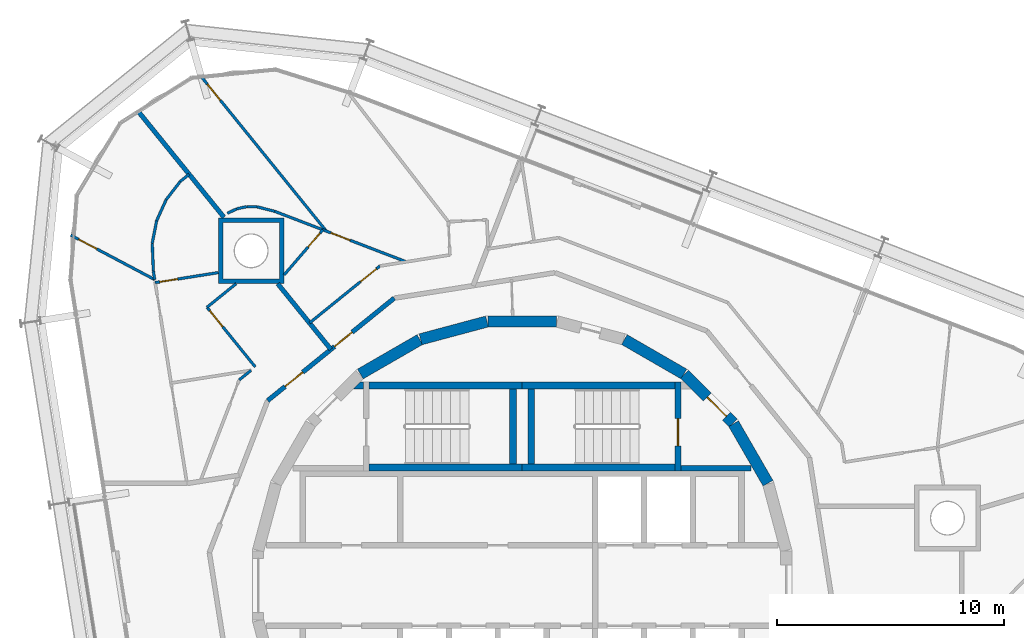
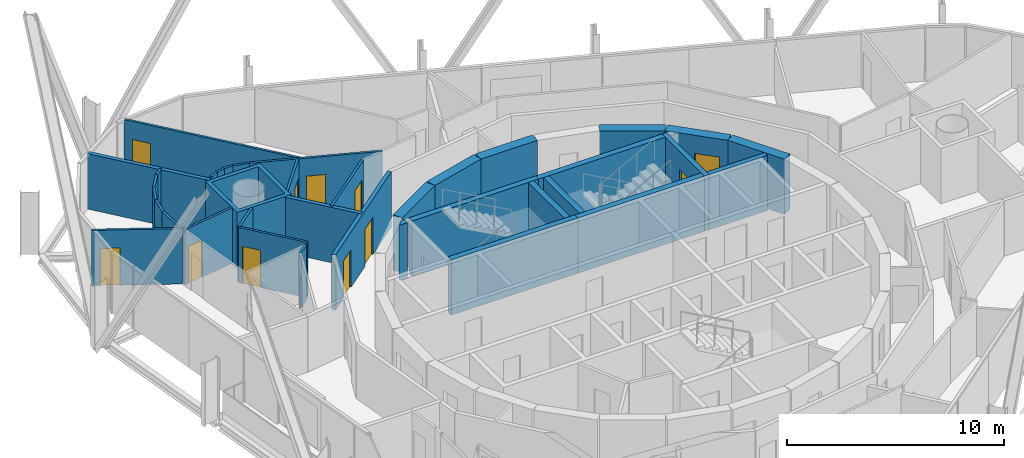
# One storey, part 15 of 18: 38 walls, 11 doors, 11 openings.
"""IFC4 building model written with IfcOpenShell, lengths in metres."""

from ifc_helpers import new_model, si_unit, direction, frame, frame_2d, origin, place, context, subcontext, project, spatial, polyline, rectangle, outline, extrude, material, layer, layer_set, type_object, element, fill, save


model = new_model("IFC4")

# Units and contexts
model_context = context("Model", 3, precision=1e-05, world=origin(), true_north=direction((0.0, 1.0)))
body_context = subcontext(model_context, "Body", "Model", "MODEL_VIEW")
ifc_project = project(units=[si_unit("LENGTHUNIT", "METRE"), si_unit("AREAUNIT", "SQUARE_METRE"), si_unit("VOLUMEUNIT", "CUBIC_METRE"), si_unit("PLANEANGLEUNIT", "RADIAN"), si_unit("MASSUNIT", "GRAM", prefix="KILO")], contexts=[model_context])

# Site, building, storey
site_placement = place(None, origin())
site = spatial("IfcSite", under=ifc_project, at=site_placement, CompositionType="ELEMENT")
building_placement = place(site_placement, origin())
building = spatial("IfcBuilding", under=site, at=building_placement, Name="Spindle Arch Residences", CompositionType="ELEMENT")
storey_placement = place(building_placement, frame((0.0, 0.0, 277.39990234375)))
storey = spatial("IfcBuildingStorey", under=building, at=storey_placement, Name="L71", CompositionType="ELEMENT", Elevation=277.39990234375)

# Wall
ifc_material_1 = material(Name="Concrete C50/60", Category="concrete")
ifc_layer_1 = layer(ifc_material_1, 0.5)
ifc_layer_set_1 = layer_set([ifc_layer_1], Name="Core outline wall 500")
wall_type_1 = type_object("IfcWallType", Name="Core outline wall 500", PredefinedType="SHEAR", material=ifc_layer_set_1)
wall_1_placement = place(storey_placement, frame((10.84521484375, 4.510498046875, 0.0), z_axis=(0.0, 0.0, 1.0), x_axis=(-0.500087131594, 0.865975092491, 0.0)))
element("IfcWall", 1, at=wall_1_placement, inside=storey, type_object=wall_type_1, Name="Core outline wall 8", PredefinedType="SHEAR", context=body_context, shape_type="SweptSolid", body=[
    extrude(rectangle(XDim=3.03271484375, YDim=0.5, at=frame_2d((1.516357421875, 0.0))), origin(), (0.0, 0.0, 1.0), 3.1201171875),
])

# Wall, opening, door
wall_2_placement = place(storey_placement, frame((9.30810546875, 7.163818359375, 0.0), z_axis=(0.0, 0.0, 1.0), x_axis=(-0.707106781187, 0.707106781187, 0.0)))
wall_2 = element("IfcWall", 2, at=wall_2_placement, inside=storey, type_object=wall_type_1, Name="Core outline wall 9", PredefinedType="SHEAR", context=body_context, shape_type="SweptSolid", body=[
    extrude(rectangle(XDim=3.032470703125, YDim=0.5, at=frame_2d((1.51611328125, 0.0))), origin(), (0.0, 0.0, 1.0), 3.1201171875),
])
opening_1_placement = place(wall_2_placement, frame((0.416259765625, 0.0, 0.0)))
opening_1 = element("IfcOpeningElement", 3, at=opening_1_placement, cuts=wall_2, Name="Opening R7B0-AD01", PredefinedType="OPENING", context=body_context, shape_type="SweptSolid", body=[
    extrude(rectangle(XDim=1.199951171875, YDim=2.10009765625, at=frame_2d((0.60009765625, 1.050048828125))), frame((0.0, 0.260009765625, 0.0), z_axis=(0.0, -1.0, 0.0), x_axis=(1.0, 0.0, 0.0)), (0.0, 0.0, 1.0), 0.52001953125),
])
ifc_material_2 = material(Name="Steel, fire-resisting door", Category="steel")
door_type_1 = type_object("IfcDoorType", Name="Stair airlock door 1200x2100", OperationType="SINGLE_SWING_LEFT", PredefinedType="DOOR", material=ifc_material_2)
door_1_placement = place(opening_1_placement, origin())
door_1 = element("IfcDoor", 4, at=door_1_placement, inside=storey, type_object=door_type_1, Name="Stair airlock door R7B0-AD01", OperationType="SINGLE_SWING_RIGHT", OverallHeight=2.10009765625, OverallWidth=1.199951171875, PredefinedType="DOOR", context=body_context, shape_type="SweptSolid", body=[
    extrude(rectangle(XDim=1.199951171875, YDim=2.10009765625, at=frame_2d((0.60009765625, 1.050048828125))), frame((0.0, 0.02490234375, 0.0), z_axis=(0.0, -1.0, 0.0), x_axis=(1.0, 0.0, 0.0)), (0.0, 0.0, 1.0), 0.050048828125),
])
fill(opening_1, door_1)

# Walls
for number, where, z_axis, x_axis, name in (
    (5, (7.13671875, 9.32861328125, 0.0), (0.0, 0.0, 1.0), (-0.865975092491, 0.500087131594, 0.0), "Core outline wall 10"),
    (6, (1.516357421875, 11.647216796875, 0.0), (0.0, 0.0, 1.0), (-1.0, 0.0, 0.0), "Core outline wall 12"),
    (7, (-1.5498046875, 11.642822265625, 0.0), (0.0, 0.0, 1.0), (-0.965948410781, -0.258734743916, 0.0), "Core outline wall 13"),
    (8, (-4.510498046875, 10.84521484375, 0.0), (0.0, 0.0, 1.0), (-0.865975092491, -0.500087131594, 0.0), "Core outline wall 14"),
):
    element("IfcWall", number, at=place(storey_placement, frame(where, z_axis=z_axis, x_axis=x_axis)), inside=storey, type_object=wall_type_1, Name=name, PredefinedType="SHEAR", context=body_context, shape_type="SweptSolid", body=[
        extrude(rectangle(XDim=3.03271484375, YDim=0.5, at=frame_2d((1.516357421875, 0.0))), origin(), (0.0, 0.0, 1.0), 3.1201171875),
    ])

# Wall, openings, doors
ifc_material_3 = material(Name="Calcium silicate block, plastered")
ifc_layer_2 = layer(ifc_material_3, 0.199951171875)
ifc_layer_set_2 = layer_set([ifc_layer_2], Name="Corridor wall 200")
wall_type_2 = type_object("IfcWallType", Name="Corridor wall 200", PredefinedType="STANDARD", material=ifc_layer_set_2)
wall_3_placement = place(storey_placement, frame((-5.642578125, 12.67333984375, 0.0), z_axis=(0.0, 0.0, 1.0), x_axis=(-0.777160148113, -0.629302871585, 0.0)))
wall_3 = element("IfcWall", 9, at=wall_3_placement, inside=storey, type_object=wall_type_2, Name="Corridor wall R7B0-W011", PredefinedType="STANDARD", context=body_context, shape_type="SweptSolid", body=[
    extrude(rectangle(XDim=7.180908203125, YDim=0.199951171875, at=frame_2d((3.59033203125, 0.0))), origin(), (0.0, 0.0, 1.0), 3.1201171875),
])
opening_2_placement = place(wall_3_placement, frame((2.390380859375, 0.0, 0.0)))
opening_2 = element("IfcOpeningElement", 10, at=opening_2_placement, cuts=wall_3, Name="Opening R7B0-FD02", PredefinedType="OPENING", context=body_context, shape_type="SweptSolid", body=[
    extrude(rectangle(XDim=1.0, YDim=2.10009765625, at=frame_2d((0.5, 1.050048828125))), frame((0.0, 0.10986328125, 0.0), z_axis=(0.0, -1.0, 0.0), x_axis=(1.0, 0.0, 0.0)), (0.0, 0.0, 1.0), 0.219970703125),
])
opening_3_placement = place(wall_3_placement, frame((5.191650390625, 0.0, 0.0)))
opening_3 = element("IfcOpeningElement", 11, at=opening_3_placement, cuts=wall_3, Name="Opening R7B0-FD03", PredefinedType="OPENING", context=body_context, shape_type="SweptSolid", body=[
    extrude(rectangle(XDim=1.0, YDim=2.10009765625, at=frame_2d((0.5, 1.050048828125))), frame((0.0, 0.10986328125, 0.0), z_axis=(0.0, -1.0, 0.0), x_axis=(1.0, 0.0, 0.0)), (0.0, 0.0, 1.0), 0.219970703125),
])
ifc_material_4 = material(Name="Timber, fire-resisting door set", Category="wood")
door_type_2 = type_object("IfcDoorType", Name="Flat entrance door 1000x2100", OperationType="NOTDEFINED", PredefinedType="DOOR", material=ifc_material_4)
door_2_placement = place(opening_2_placement, origin())
door_2 = element("IfcDoor", 12, at=door_2_placement, inside=storey, type_object=door_type_2, Name="Flat entrance door R7B0-FD02", OperationType="SINGLE_SWING_RIGHT", OverallHeight=2.10009765625, OverallWidth=1.0, PredefinedType="DOOR", context=body_context, shape_type="SweptSolid", body=[
    extrude(rectangle(XDim=1.0, YDim=2.10009765625, at=frame_2d((0.5, 1.050048828125))), frame((0.0, 0.02490234375, 0.0), z_axis=(0.0, -1.0, 0.0), x_axis=(1.0, 0.0, 0.0)), (0.0, 0.0, 1.0), 0.050048828125),
])
fill(opening_2, door_2)
door_3_placement = place(opening_3_placement, origin())
door_3 = element("IfcDoor", 13, at=door_3_placement, inside=storey, type_object=door_type_2, Name="Flat entrance door R7B0-FD03", OperationType="SINGLE_SWING_LEFT", OverallHeight=2.10009765625, OverallWidth=1.0, PredefinedType="DOOR", context=body_context, shape_type="SweptSolid", body=[
    extrude(rectangle(XDim=1.0, YDim=2.10009765625, at=frame_2d((0.5, 1.050048828125))), frame((0.0, 0.02490234375, 0.0), z_axis=(0.0, -1.0, 0.0), x_axis=(1.0, 0.0, 0.0)), (0.0, 0.0, 1.0), 0.050048828125),
])
fill(opening_3, door_3)

# Wall, opening, door
ifc_material_5 = material(Name="Plasterboard on steel studs", Category="steel")
ifc_layer_3 = layer(ifc_material_5, 0.1201171875)
ifc_layer_set_3 = layer_set([ifc_layer_3], Name="Flat partition 120")
wall_type_3 = type_object("IfcWallType", Name="Flat partition 120", PredefinedType="PARTITIONING", material=ifc_layer_set_3)
wall_4_placement = place(storey_placement, frame((-6.274169921875, 14.092041015625, 0.0), z_axis=(0.0, 0.0, 1.0), x_axis=(-0.777162268892, -0.629300252511, 0.0)))
wall_4 = element("IfcWall", 14, at=wall_4_placement, inside=storey, type_object=wall_type_3, Name="Flat partition R7B0-W045", PredefinedType="PARTITIONING", context=body_context, shape_type="SweptSolid", body=[
    extrude(rectangle(XDim=3.992431640625, YDim=0.1201171875, at=frame_2d((1.99609375, 0.0))), origin(), (0.0, 0.0, 1.0), 3.1201171875),
])
opening_4_placement = place(wall_4_placement, frame((0.199951171875, 0.0, 0.0)))
opening_4 = element("IfcOpeningElement", 15, at=opening_4_placement, cuts=wall_4, Name="Opening R7B0-ID07", PredefinedType="OPENING", context=body_context, shape_type="SweptSolid", body=[
    extrude(rectangle(XDim=0.89990234375, YDim=2.10009765625, at=frame_2d((0.449951171875, 1.050048828125))), frame((0.0, 0.070068359375, 0.0), z_axis=(0.0, -1.0, 0.0), x_axis=(1.0, 0.0, 0.0)), (0.0, 0.0, 1.0), 0.14013671875),
])
ifc_material_6 = material(Name="Timber door set", Category="wood")
door_type_3 = type_object("IfcDoorType", Name="Room door 900x2100", OperationType="NOTDEFINED", PredefinedType="DOOR", material=ifc_material_6)
door_4_placement = place(opening_4_placement, origin())
door_4 = element("IfcDoor", 16, at=door_4_placement, inside=storey, type_object=door_type_3, Name="Room door R7B0-ID07", OperationType="SINGLE_SWING_RIGHT", OverallHeight=2.10009765625, OverallWidth=0.89990234375, PredefinedType="DOOR", context=body_context, shape_type="SweptSolid", body=[
    extrude(rectangle(XDim=0.89990234375, YDim=2.10009765625, at=frame_2d((0.449951171875, 1.050048828125))), frame((0.0, 0.02490234375, 0.0), z_axis=(0.0, -1.0, 0.0), x_axis=(1.0, 0.0, 0.0)), (0.0, 0.0, 1.0), 0.050048828125),
])
fill(opening_4, door_4)

wall_5_placement = place(storey_placement, frame((-10.909912109375, 16.50244140625, 0.0), z_axis=(0.0, 0.0, 1.0), x_axis=(0.933584453869, -0.358357457707, 0.0)))
wall_5 = element("IfcWall", 17, at=wall_5_placement, inside=storey, type_object=wall_type_3, Name="Flat partition R7B0-W047", PredefinedType="PARTITIONING", context=body_context, shape_type="SweptSolid", body=[
    extrude(rectangle(XDim=6.2119140625, YDim=0.1201171875, at=frame_2d((3.10595703125, 0.0))), origin(), (0.0, 0.0, 1.0), 3.1201171875),
])
opening_5_placement = place(wall_5_placement, frame((2.657470703125, 0.0, 0.0)))
opening_5 = element("IfcOpeningElement", 18, at=opening_5_placement, cuts=wall_5, Name="Opening R7B0-ID09", PredefinedType="OPENING", context=body_context, shape_type="SweptSolid", body=[
    extrude(rectangle(XDim=0.89990234375, YDim=2.10009765625, at=frame_2d((0.449951171875, 1.050048828125))), frame((0.0, 0.070068359375, 0.0), z_axis=(0.0, -1.0, 0.0), x_axis=(1.0, 0.0, 0.0)), (0.0, 0.0, 1.0), 0.14013671875),
])
door_5_placement = place(opening_5_placement, origin())
door_5 = element("IfcDoor", 19, at=door_5_placement, inside=storey, type_object=door_type_3, Name="Room door R7B0-ID09", OperationType="SINGLE_SWING_LEFT", OverallHeight=2.10009765625, OverallWidth=0.89990234375, PredefinedType="DOOR", context=body_context, shape_type="SweptSolid", body=[
    extrude(rectangle(XDim=0.89990234375, YDim=2.10009765625, at=frame_2d((0.449951171875, 1.050048828125))), frame((0.0, 0.02490234375, 0.0), z_axis=(0.0, -1.0, 0.0), x_axis=(1.0, 0.0, 0.0)), (0.0, 0.0, 1.0), 0.050048828125),
])
fill(opening_5, door_5)

wall_6_placement = place(storey_placement, frame((-14.1318359375, 22.417724609375, 0.0), z_axis=(0.0, 0.0, 1.0), x_axis=(0.629309172704, -0.77715504576, 0.0)))
wall_6 = element("IfcWall", 20, at=wall_6_placement, inside=storey, type_object=wall_type_3, Name="Flat partition R7B0-W048", PredefinedType="PARTITIONING", context=body_context, shape_type="SweptSolid", body=[
    extrude(rectangle(XDim=8.735595703125, YDim=0.1201171875, at=frame_2d((4.36767578125, 0.0))), origin(), (0.0, 0.0, 1.0), 3.1201171875),
])
opening_6_placement = place(wall_6_placement, frame((0.39990234375, 0.0, 0.0)))
opening_6 = element("IfcOpeningElement", 21, at=opening_6_placement, cuts=wall_6, Name="Opening R7B0-ID08", PredefinedType="OPENING", context=body_context, shape_type="SweptSolid", body=[
    extrude(rectangle(XDim=0.89990234375, YDim=2.10009765625, at=frame_2d((0.449951171875, 1.050048828125))), frame((0.0, 0.070068359375, 0.0), z_axis=(0.0, -1.0, 0.0), x_axis=(1.0, 0.0, 0.0)), (0.0, 0.0, 1.0), 0.14013671875),
])
door_6_placement = place(opening_6_placement, origin())
door_6 = element("IfcDoor", 22, at=door_6_placement, inside=storey, type_object=door_type_3, Name="Room door R7B0-ID08", OperationType="SINGLE_SWING_RIGHT", OverallHeight=2.10009765625, OverallWidth=0.89990234375, PredefinedType="DOOR", context=body_context, shape_type="SweptSolid", body=[
    extrude(rectangle(XDim=0.89990234375, YDim=2.10009765625, at=frame_2d((0.449951171875, 1.050048828125))), frame((0.0, 0.02490234375, 0.0), z_axis=(0.0, -1.0, 0.0), x_axis=(1.0, 0.0, 0.0)), (0.0, 0.0, 1.0), 0.050048828125),
])
fill(opening_6, door_6)

wall_7_placement = place(storey_placement, frame((-8.788330078125, 15.68798828125, 0.0), z_axis=(0.0, 0.0, 1.0), x_axis=(-0.652090514391, -0.758141122115, 0.0)))
wall_7 = element("IfcWall", 23, at=wall_7_placement, inside=storey, type_object=wall_type_3, Name="Flat partition R7B0-W049", PredefinedType="PARTITIONING", context=body_context, shape_type="SweptSolid", body=[
    extrude(rectangle(XDim=2.62890625, YDim=0.1201171875, at=frame_2d((1.314453125, 0.0))), origin(), (0.0, 0.0, 1.0), 3.1201171875),
])
opening_7_placement = place(wall_7_placement, frame((0.199951171875, 0.0, 0.0)))
opening_7 = element("IfcOpeningElement", 24, at=opening_7_placement, cuts=wall_7, Name="Opening R7B0-BD02", PredefinedType="OPENING", context=body_context, shape_type="SweptSolid", body=[
    extrude(rectangle(XDim=0.800048828125, YDim=2.10009765625, at=frame_2d((0.39990234375, 1.050048828125))), frame((0.0, 0.070068359375, 0.0), z_axis=(0.0, -1.0, 0.0), x_axis=(1.0, 0.0, 0.0)), (0.0, 0.0, 1.0), 0.14013671875),
])
ifc_material_7 = material(Name="Timber door set", Category="wood")
door_type_4 = type_object("IfcDoorType", Name="Bathroom door 800x2100", OperationType="NOTDEFINED", PredefinedType="DOOR", material=ifc_material_7)
door_7_placement = place(opening_7_placement, origin())
door_7 = element("IfcDoor", 25, at=door_7_placement, inside=storey, type_object=door_type_4, Name="Bathroom door R7B0-BD02", OperationType="SINGLE_SWING_RIGHT", OverallHeight=2.10009765625, OverallWidth=0.800048828125, PredefinedType="DOOR", context=body_context, shape_type="SweptSolid", body=[
    extrude(rectangle(XDim=0.800048828125, YDim=2.10009765625, at=frame_2d((0.39990234375, 1.050048828125))), frame((0.0, 0.02490234375, 0.0), z_axis=(0.0, -1.0, 0.0), x_axis=(1.0, 0.0, 0.0)), (0.0, 0.0, 1.0), 0.050048828125),
])
fill(opening_7, door_7)

# Walls
wall_8_placement = place(storey_placement, frame((-10.909912109375, 16.50244140625, 0.0), z_axis=(0.0, 0.0, 1.0), x_axis=(-0.96886520615, 0.247588796823, 0.0)))
element("IfcWall", 26, at=wall_8_placement, inside=storey, type_object=wall_type_3, Name="Flat partition R7B0-W050", PredefinedType="PARTITIONING", context=body_context, shape_type="SweptSolid", body=[
    extrude(rectangle(XDim=0.806640625, YDim=0.1201171875, at=frame_2d((0.4033203125, 0.0))), origin(), (0.0, 0.0, 1.0), 3.1201171875),
])
wall_9_placement = place(storey_placement, frame((-11.69140625, 16.7021484375, 0.0), z_axis=(0.0, 0.0, 1.0), x_axis=(-0.999843155249, 0.017710587291, 0.0)))
element("IfcWall", 27, at=wall_9_placement, inside=storey, type_object=wall_type_3, Name="Flat partition R7B0-W051", PredefinedType="PARTITIONING", context=body_context, shape_type="SweptSolid", body=[
    extrude(rectangle(XDim=0.454833984375, YDim=0.1201171875, at=frame_2d((0.2275390625, 0.0))), origin(), (0.0, 0.0, 1.0), 3.1201171875),
])
wall_10_placement = place(storey_placement, frame((-12.146240234375, 16.710205078125, 0.0), z_axis=(0.0, 0.0, 1.0), x_axis=(-0.976826470165, -0.21403281801, 0.0)))
element("IfcWall", 28, at=wall_10_placement, inside=storey, type_object=wall_type_3, Name="Flat partition R7B0-W052", PredefinedType="PARTITIONING", context=body_context, shape_type="SweptSolid", body=[
    extrude(rectangle(XDim=0.455078125, YDim=0.1201171875, at=frame_2d((0.2275390625, 0.0))), origin(), (0.0, 0.0, 1.0), 3.1201171875),
])
wall_11_placement = place(storey_placement, frame((-12.5908203125, 16.61279296875, 0.0), z_axis=(0.0, 0.0, 1.0), x_axis=(-0.901405666701, -0.432975546699, 0.0)))
element("IfcWall", 29, at=wall_11_placement, inside=storey, type_object=wall_type_3, Name="Flat partition R7B0-W053", PredefinedType="PARTITIONING", context=body_context, shape_type="SweptSolid", body=[
    extrude(rectangle(XDim=0.45458984375, YDim=0.1201171875, at=frame_2d((0.227294921875, 0.0))), origin(), (0.0, 0.0, 1.0), 3.1201171875),
])
wall_12_placement = place(storey_placement, frame((-12.616455078125, 13.310546875, 0.0), z_axis=(0.0, 0.0, 1.0), x_axis=(-0.7771657422, -0.629295963082, 0.0)))
element("IfcWall", 30, at=wall_12_placement, inside=storey, type_object=wall_type_3, Name="Flat partition R7B0-W054", PredefinedType="PARTITIONING", context=body_context, shape_type="SweptSolid", body=[
    extrude(rectangle(XDim=1.652587890625, YDim=0.1201171875, at=frame_2d((0.826171875, 0.0))), origin(), (0.0, 0.0, 1.0), 3.1201171875),
])

# Wall, opening, door
wall_13_placement = place(storey_placement, frame((-13.90087890625, 12.2705078125, 0.0), z_axis=(0.0, 0.0, 1.0), x_axis=(0.62932066967, -0.777145735835, 0.0)))
wall_13 = element("IfcWall", 31, at=wall_13_placement, inside=storey, type_object=wall_type_3, Name="Flat partition R7B0-W055", PredefinedType="PARTITIONING", context=body_context, shape_type="SweptSolid", body=[
    extrude(rectangle(XDim=3.384033203125, YDim=0.1201171875, at=frame_2d((1.69189453125, 0.0))), origin(), (0.0, 0.0, 1.0), 3.1201171875),
])
opening_8_placement = place(wall_13_placement, frame((0.199951171875, 0.0, 0.0)))
opening_8 = element("IfcOpeningElement", 32, at=opening_8_placement, cuts=wall_13, Name="Opening R7B0-ID10", PredefinedType="OPENING", context=body_context, shape_type="SweptSolid", body=[
    extrude(rectangle(XDim=0.89990234375, YDim=2.10009765625, at=frame_2d((0.449951171875, 1.050048828125))), frame((0.0, 0.070068359375, 0.0), z_axis=(0.0, -1.0, 0.0), x_axis=(1.0, 0.0, 0.0)), (0.0, 0.0, 1.0), 0.14013671875),
])
door_8_placement = place(opening_8_placement, origin())
door_8 = element("IfcDoor", 33, at=door_8_placement, inside=storey, type_object=door_type_3, Name="Room door R7B0-ID10", OperationType="SINGLE_SWING_LEFT", OverallHeight=2.10009765625, OverallWidth=0.89990234375, PredefinedType="DOOR", context=body_context, shape_type="SweptSolid", body=[
    extrude(rectangle(XDim=0.89990234375, YDim=2.10009765625, at=frame_2d((0.449951171875, 1.050048828125))), frame((0.0, 0.02490234375, 0.0), z_axis=(0.0, -1.0, 0.0), x_axis=(1.0, 0.0, 0.0)), (0.0, 0.0, 1.0), 0.050048828125),
])
fill(opening_8, door_8)

# Walls
wall_14_placement = place(storey_placement, frame((-11.960205078125, 9.4873046875, 0.0), z_axis=(0.0, 0.0, 1.0), x_axis=(-0.777219341678, -0.62922976322, 0.0)))
element("IfcWall", 34, at=wall_14_placement, inside=storey, type_object=wall_type_3, Name="Flat partition R7B0-W056", PredefinedType="PARTITIONING", context=body_context, shape_type="SweptSolid", body=[
    extrude(rectangle(XDim=0.668212890625, YDim=0.1201171875, at=frame_2d((0.333984375, 0.0))), origin(), (0.0, 0.0, 1.0), 3.1201171875),
])
wall_15_placement = place(storey_placement, frame((-14.687744140625, 18.137939453125, 0.0), z_axis=(0.0, 0.0, 1.0), x_axis=(-0.777009819755, -0.629488474879, 0.0)))
element("IfcWall", 35, at=wall_15_placement, inside=storey, type_object=wall_type_3, Name="Flat partition R7B0-W058", PredefinedType="PARTITIONING", context=body_context, shape_type="SweptSolid", body=[
    extrude(rectangle(XDim=0.508056640625, YDim=0.1201171875, at=frame_2d((0.25390625, 0.0))), origin(), (0.0, 0.0, 1.0), 3.1201171875),
])
wall_16_placement = place(storey_placement, frame((-15.08251953125, 17.818115234375, 0.0), z_axis=(0.0, 0.0, 1.0), x_axis=(-0.611091802574, -0.791559731686, 0.0)))
element("IfcWall", 36, at=wall_16_placement, inside=storey, type_object=wall_type_3, Name="Flat partition R7B0-W059", PredefinedType="PARTITIONING", context=body_context, shape_type="SweptSolid", body=[
    extrude(rectangle(XDim=1.015869140625, YDim=0.1201171875, at=frame_2d((0.5078125, 0.0))), origin(), (0.0, 0.0, 1.0), 3.1201171875),
])
wall_17_placement = place(storey_placement, frame((-15.703369140625, 17.013916015625, 0.0), z_axis=(0.0, 0.0, 1.0), x_axis=(-0.411973085874, -0.911196014322, 0.0)))
element("IfcWall", 37, at=wall_17_placement, inside=storey, type_object=wall_type_3, Name="Flat partition R7B0-W060", PredefinedType="PARTITIONING", context=body_context, shape_type="SweptSolid", body=[
    extrude(rectangle(XDim=1.015625, YDim=0.1201171875, at=frame_2d((0.5078125, 0.0))), origin(), (0.0, 0.0, 1.0), 3.1201171875),
])
wall_18_placement = place(storey_placement, frame((-16.121826171875, 16.08837890625, 0.0), z_axis=(0.0, 0.0, 1.0), x_axis=(-0.191030445301, -0.981584112019, 0.0)))
element("IfcWall", 38, at=wall_18_placement, inside=storey, type_object=wall_type_3, Name="Flat partition R7B0-W061", PredefinedType="PARTITIONING", context=body_context, shape_type="SweptSolid", body=[
    extrude(rectangle(XDim=1.01611328125, YDim=0.1201171875, at=frame_2d((0.508056640625, 0.0))), origin(), (0.0, 0.0, 1.0), 3.1201171875),
])
wall_19_placement = place(storey_placement, frame((-16.31591796875, 15.091064453125, 0.0), z_axis=(0.0, 0.0, 1.0), x_axis=(0.040786423131, -0.999167887639, 0.0)))
element("IfcWall", 39, at=wall_19_placement, inside=storey, type_object=wall_type_3, Name="Flat partition R7B0-W062", PredefinedType="PARTITIONING", context=body_context, shape_type="SweptSolid", body=[
    extrude(rectangle(XDim=1.22705078125, YDim=0.1201171875, at=frame_2d((0.613525390625, 0.0))), origin(), (0.0, 0.0, 1.0), 3.1201171875),
])
wall_20_placement = place(storey_placement, frame((-16.265869140625, 13.864990234375, 0.0), z_axis=(0.0, 0.0, 1.0), x_axis=(0.156757556272, -0.987637113798, 0.0)))
element("IfcWall", 40, at=wall_20_placement, inside=storey, type_object=wall_type_3, Name="Flat partition R7B0-W063", PredefinedType="PARTITIONING", context=body_context, shape_type="SweptSolid", body=[
    extrude(rectangle(XDim=0.37841796875, YDim=0.1201171875, at=frame_2d((0.189208984375, 0.0))), origin(), (0.0, 0.0, 1.0), 3.1201171875),
])

# Wall, opening, door
wall_21_placement = place(storey_placement, frame((-16.185791015625, 13.359375, 0.0), z_axis=(0.0, 0.0, 1.0), x_axis=(0.987680631298, 0.156483131865, 0.0)))
wall_21 = element("IfcWall", 41, at=wall_21_placement, inside=storey, type_object=wall_type_3, Name="Flat partition R7B0-W064", PredefinedType="PARTITIONING", context=body_context, shape_type="SweptSolid", body=[
    extrude(rectangle(XDim=2.817626953125, YDim=0.1201171875, at=frame_2d((1.40869140625, 0.0))), origin(), (0.0, 0.0, 1.0), 3.1201171875),
])
opening_9_placement = place(wall_21_placement, frame((0.199951171875, 0.0, 0.0)))
opening_9 = element("IfcOpeningElement", 42, at=opening_9_placement, cuts=wall_21, Name="Opening R7B0-BD03", PredefinedType="OPENING", context=body_context, shape_type="SweptSolid", body=[
    extrude(rectangle(XDim=0.800048828125, YDim=2.10009765625, at=frame_2d((0.39990234375, 1.050048828125))), frame((0.0, 0.070068359375, 0.0), z_axis=(0.0, -1.0, 0.0), x_axis=(1.0, 0.0, 0.0)), (0.0, 0.0, 1.0), 0.14013671875),
])
door_9_placement = place(opening_9_placement, origin())
door_9 = element("IfcDoor", 43, at=door_9_placement, inside=storey, type_object=door_type_4, Name="Bathroom door R7B0-BD03", OperationType="SINGLE_SWING_LEFT", OverallHeight=2.10009765625, OverallWidth=0.800048828125, PredefinedType="DOOR", context=body_context, shape_type="SweptSolid", body=[
    extrude(rectangle(XDim=0.800048828125, YDim=2.10009765625, at=frame_2d((0.39990234375, 1.050048828125))), frame((0.0, 0.02490234375, 0.0), z_axis=(0.0, -1.0, 0.0), x_axis=(1.0, 0.0, 0.0)), (0.0, 0.0, 1.0), 0.050048828125),
])
fill(opening_9, door_9)

wall_22_placement = place(storey_placement, frame((-19.91259765625, 15.45361328125, 0.0), z_axis=(0.0, 0.0, 1.0), x_axis=(0.883751094582, -0.467957266024, 0.0)))
wall_22 = element("IfcWall", 44, at=wall_22_placement, inside=storey, type_object=wall_type_3, Name="Flat partition R7B0-W065", PredefinedType="PARTITIONING", context=body_context, shape_type="SweptSolid", body=[
    extrude(rectangle(XDim=4.193603515625, YDim=0.1201171875, at=frame_2d((2.0966796875, 0.0))), origin(), (0.0, 0.0, 1.0), 3.1201171875),
])
opening_10_placement = place(wall_22_placement, frame((0.39990234375, 0.0, 0.0)))
opening_10 = element("IfcOpeningElement", 45, at=opening_10_placement, cuts=wall_22, Name="Opening R7B0-ID13", PredefinedType="OPENING", context=body_context, shape_type="SweptSolid", body=[
    extrude(rectangle(XDim=0.89990234375, YDim=2.10009765625, at=frame_2d((0.449951171875, 1.050048828125))), frame((0.0, 0.070068359375, 0.0), z_axis=(0.0, -1.0, 0.0), x_axis=(1.0, 0.0, 0.0)), (0.0, 0.0, 1.0), 0.14013671875),
])
door_10_placement = place(opening_10_placement, origin())
door_10 = element("IfcDoor", 46, at=door_10_placement, inside=storey, type_object=door_type_3, Name="Room door R7B0-ID13", OperationType="SINGLE_SWING_LEFT", OverallHeight=2.10009765625, OverallWidth=0.89990234375, PredefinedType="DOOR", context=body_context, shape_type="SweptSolid", body=[
    extrude(rectangle(XDim=0.89990234375, YDim=2.10009765625, at=frame_2d((0.449951171875, 1.050048828125))), frame((0.0, 0.02490234375, 0.0), z_axis=(0.0, -1.0, 0.0), x_axis=(1.0, 0.0, 0.0)), (0.0, 0.0, 1.0), 0.050048828125),
])
fill(opening_10, door_10)

# Walls
ifc_material_8 = material(Name="Calcium silicate block, plastered")
ifc_layer_4 = layer(ifc_material_8, 0.199951171875)
ifc_layer_set_4 = layer_set([ifc_layer_4], Name="Flat party wall 200")
wall_type_4 = type_object("IfcWallType", Name="Flat party wall 200", PredefinedType="STANDARD", material=ifc_layer_set_4)
wall_23_placement = place(storey_placement, frame((-10.779296875, 13.309814453125, 0.0), z_axis=(0.0, 0.0, 1.0), x_axis=(0.62931692753, -0.777148766147, 0.0)))
element("IfcWall", 47, at=wall_23_placement, inside=storey, type_object=wall_type_4, Name="Flat party wall R7B0-W025", PredefinedType="STANDARD", context=body_context, shape_type="SweptSolid", body=[
    extrude(rectangle(XDim=3.727294921875, YDim=0.199951171875, at=frame_2d((1.86376953125, 0.0))), origin(), (0.0, 0.0, 1.0), 3.1201171875),
])
wall_24_placement = place(storey_placement, frame((-16.953369140625, 20.935546875, 0.0), z_axis=(0.0, 0.0, 1.0), x_axis=(0.629347053134, -0.77712437017, 0.0)))
element("IfcWall", 48, at=wall_24_placement, inside=storey, type_object=wall_type_4, Name="Flat party wall R7B0-W026", PredefinedType="STANDARD", context=body_context, shape_type="SweptSolid", body=[
    extrude(rectangle(XDim=6.0400390625, YDim=0.199951171875, at=frame_2d((3.02001953125, 0.0))), origin(), (0.0, 0.0, 1.0), 3.1201171875),
])
ifc_material_9 = material(Name="Calcium silicate block, plastered")
ifc_layer_5 = layer(ifc_material_9, 0.199951171875)
ifc_layer_set_5 = layer_set([ifc_layer_5], Name="Mega-column casing wall 200")
wall_type_5 = type_object("IfcWallType", Name="Mega-column casing wall 200", PredefinedType="STANDARD", material=ifc_layer_set_5)
wall_25_placement = place(storey_placement, origin())
element("IfcWall", 49, at=wall_25_placement, inside=storey, type_object=wall_type_5, Name="Mega-column casing wall R7B0-WC02", PredefinedType="STANDARD", context=body_context, shape_type="SweptSolid", body=[
    extrude(outline(polyline([(-10.502685546875, 16.21044921875), (-10.502685546875, 13.310546875), (-13.40283203125, 13.310546875), (-13.40283203125, 16.21044921875), (-10.502685546875, 16.21044921875)]), holes=[polyline([(-13.202880859375, 13.510498046875), (-10.702880859375, 13.510498046875), (-10.702880859375, 16.010498046875), (-13.202880859375, 16.010498046875), (-13.202880859375, 13.510498046875)])]), origin(), (0.0, 0.0, 1.0), 3.1201171875),
])
ifc_material_10 = material(Name="Concrete C40/50", Category="concrete")
ifc_layer_6 = layer(ifc_material_10, 0.25)
ifc_layer_set_6 = layer_set([ifc_layer_6], Name="Stair airlock wall 250")
wall_type_6 = type_object("IfcWallType", Name="Stair airlock wall 250", PredefinedType="SHEAR", material=ifc_layer_set_6)
wall_26_placement = place(storey_placement, frame((7.0, 5.175048828125, 0.0), z_axis=(0.0, 0.0, 1.0), x_axis=(1.0, 0.0, 0.0)))
element("IfcWall", 50, at=wall_26_placement, inside=storey, type_object=wall_type_6, Name="Stair ST-1 airlock wall S", PredefinedType="SHEAR", context=body_context, shape_type="SweptSolid", body=[
    extrude(rectangle(XDim=3.10009765625, YDim=0.25, at=frame_2d((1.550048828125, 0.0))), origin(), (0.0, 0.0, 1.0), 3.1201171875),
])
ifc_material_11 = material(Name="Concrete C40/50", Category="concrete")
wall_type_7 = type_object("IfcWallType", Name="Stair airlock wall profile", PredefinedType="SHEAR", material=ifc_material_11)
wall_27_placement = place(storey_placement, origin())
element("IfcWall", 51, at=wall_27_placement, inside=storey, type_object=wall_type_7, Name="Stair ST-2 airlock wall N", PredefinedType="SHEAR", context=body_context, shape_type="SweptSolid", body=[
    extrude(outline(polyline([(-7.148193359375, 8.969970703125), (-7.0, 8.969970703125), (-7.0, 8.669921875), (-7.4482421875, 8.669921875), (-7.148193359375, 8.969970703125)])), origin(), (0.0, 0.0, 1.0), 3.1201171875),
])

# Wall, opening, door
ifc_material_12 = material(Name="Concrete C50/60", Category="concrete")
ifc_layer_7 = layer(ifc_material_12, 0.25)
ifc_layer_set_7 = layer_set([ifc_layer_7], Name="Stair enclosure wall 250")
wall_type_8 = type_object("IfcWallType", Name="Stair enclosure wall 250", PredefinedType="SHEAR", material=ifc_layer_set_7)
wall_28_placement = place(storey_placement, frame((6.875, 5.050048828125, 0.0), z_axis=(0.0, 0.0, 1.0), x_axis=(0.0, 1.0, 0.0)))
wall_28 = element("IfcWall", 52, at=wall_28_placement, inside=storey, type_object=wall_type_8, Name="Stair ST-1 door wall", PredefinedType="SHEAR", context=body_context, shape_type="SweptSolid", body=[
    extrude(rectangle(XDim=3.919921875, YDim=0.25, at=frame_2d((1.9599609375, 0.0))), origin(), (0.0, 0.0, 1.0), 3.1201171875),
])
opening_11_placement = place(wall_28_placement, frame((1.110107421875, 0.0, 0.0)))
opening_11 = element("IfcOpeningElement", 53, at=opening_11_placement, cuts=wall_28, Name="Opening R7B0-SD01", PredefinedType="OPENING", context=body_context, shape_type="SweptSolid", body=[
    extrude(rectangle(XDim=1.199951171875, YDim=2.10009765625, at=frame_2d((0.60009765625, 1.050048828125))), frame((0.0, 0.135009765625, 0.0), z_axis=(0.0, -1.0, 0.0), x_axis=(1.0, 0.0, 0.0)), (0.0, 0.0, 1.0), 0.27001953125),
])
ifc_material_13 = material(Name="Steel, fire-resisting door", Category="steel")
door_type_5 = type_object("IfcDoorType", Name="Stair door 1200x2100", OperationType="SINGLE_SWING_RIGHT", PredefinedType="DOOR", material=ifc_material_13)
door_11_placement = place(opening_11_placement, origin())
door_11 = element("IfcDoor", 54, at=door_11_placement, inside=storey, type_object=door_type_5, Name="Stair door R7B0-SD01", OperationType="SINGLE_SWING_LEFT", OverallHeight=2.10009765625, OverallWidth=1.199951171875, PredefinedType="DOOR", context=body_context, shape_type="SweptSolid", body=[
    extrude(rectangle(XDim=1.199951171875, YDim=2.10009765625, at=frame_2d((0.60009765625, 1.050048828125))), frame((0.0, 0.02490234375, 0.0), z_axis=(0.0, -1.0, 0.0), x_axis=(1.0, 0.0, 0.0)), (0.0, 0.0, 1.0), 0.050048828125),
])
fill(opening_11, door_11)

# Walls
ifc_material_14 = material(Name="Concrete C50/60", Category="concrete")
ifc_layer_8 = layer(ifc_material_14, 0.300048828125)
ifc_layer_set_8 = layer_set([ifc_layer_8], Name="Stair enclosure wall 300")
wall_type_9 = type_object("IfcWallType", Name="Stair enclosure wall 300", PredefinedType="SHEAR", material=ifc_layer_set_8)
for number, where, z_axis, x_axis, name in (
    (55, (0.0, 5.199951171875, 0.0), (0.0, 0.0, 1.0), (1.0, 0.0, 0.0), "Stair ST-1 enclosure wall S"),
    (56, (0.0, 8.820068359375, 0.0), (0.0, 0.0, 1.0), (1.0, 0.0, 0.0), "Stair ST-1 enclosure wall N"),
):
    element("IfcWall", number, at=place(storey_placement, frame(where, z_axis=z_axis, x_axis=x_axis)), inside=storey, type_object=wall_type_9, Name=name, PredefinedType="SHEAR", context=body_context, shape_type="SweptSolid", body=[
        extrude(rectangle(XDim=6.75, YDim=0.300048828125, at=frame_2d((3.375, 0.0))), origin(), (0.0, 0.0, 1.0), 3.1201171875),
    ])
wall_29_placement = place(storey_placement, frame((0.39990234375, 5.35009765625, 0.0), z_axis=(0.0, 0.0, 1.0), x_axis=(0.0, 1.0, 0.0)))
element("IfcWall", 57, at=wall_29_placement, inside=storey, type_object=wall_type_9, Name="Stair ST-1 enclosure wall F", PredefinedType="SHEAR", context=body_context, shape_type="SweptSolid", body=[
    extrude(rectangle(XDim=3.31982421875, YDim=0.300048828125, at=frame_2d((1.659912109375, 0.0))), origin(), (0.0, 0.0, 1.0), 3.1201171875),
])
for number, where, z_axis, x_axis, name in (
    (58, (-6.75, 5.199951171875, 0.0), (0.0, 0.0, 1.0), (1.0, 0.0, 0.0), "Stair ST-2 enclosure wall S"),
    (59, (-6.75, 8.820068359375, 0.0), (0.0, 0.0, 1.0), (1.0, 0.0, 0.0), "Stair ST-2 enclosure wall N"),
):
    element("IfcWall", number, at=place(storey_placement, frame(where, z_axis=z_axis, x_axis=x_axis)), inside=storey, type_object=wall_type_9, Name=name, PredefinedType="SHEAR", context=body_context, shape_type="SweptSolid", body=[
        extrude(rectangle(XDim=6.75, YDim=0.300048828125, at=frame_2d((3.375, 0.0))), origin(), (0.0, 0.0, 1.0), 3.1201171875),
    ])
wall_30_placement = place(storey_placement, frame((-0.39990234375, 5.35009765625, 0.0), z_axis=(0.0, 0.0, 1.0), x_axis=(0.0, 1.0, 0.0)))
element("IfcWall", 60, at=wall_30_placement, inside=storey, type_object=wall_type_9, Name="Stair ST-2 enclosure wall F", PredefinedType="SHEAR", context=body_context, shape_type="SweptSolid", body=[
    extrude(rectangle(XDim=3.31982421875, YDim=0.300048828125, at=frame_2d((1.659912109375, 0.0))), origin(), (0.0, 0.0, 1.0), 3.1201171875),
])

save(model, "model.ifc")
